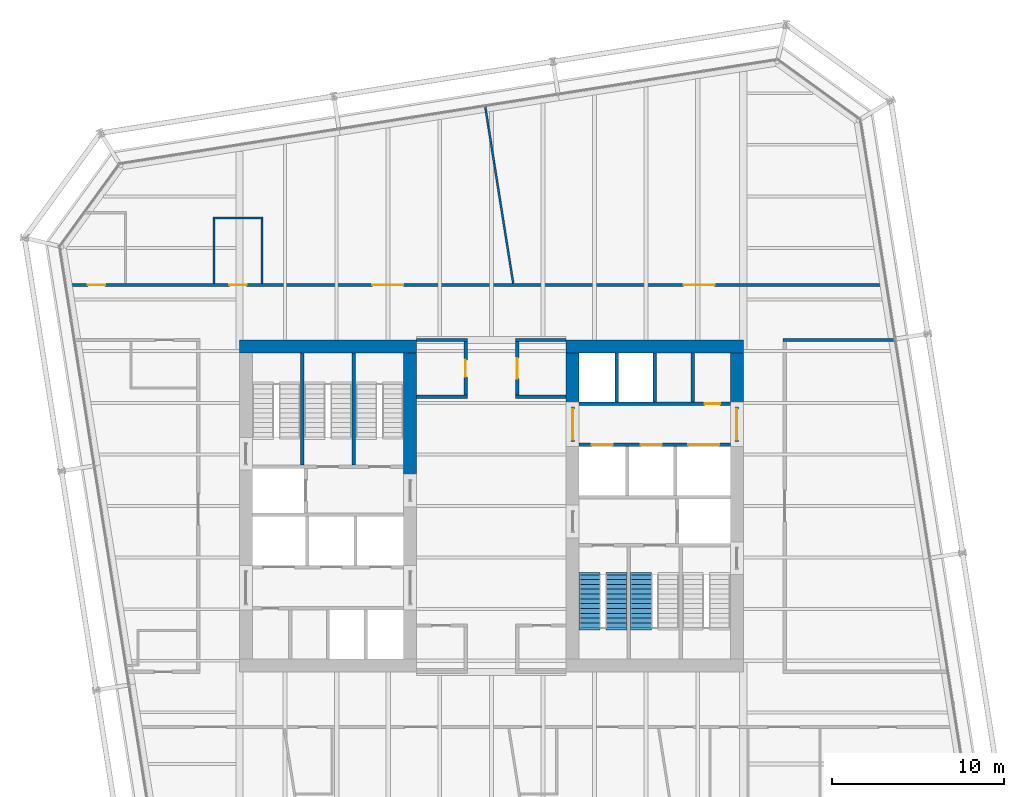
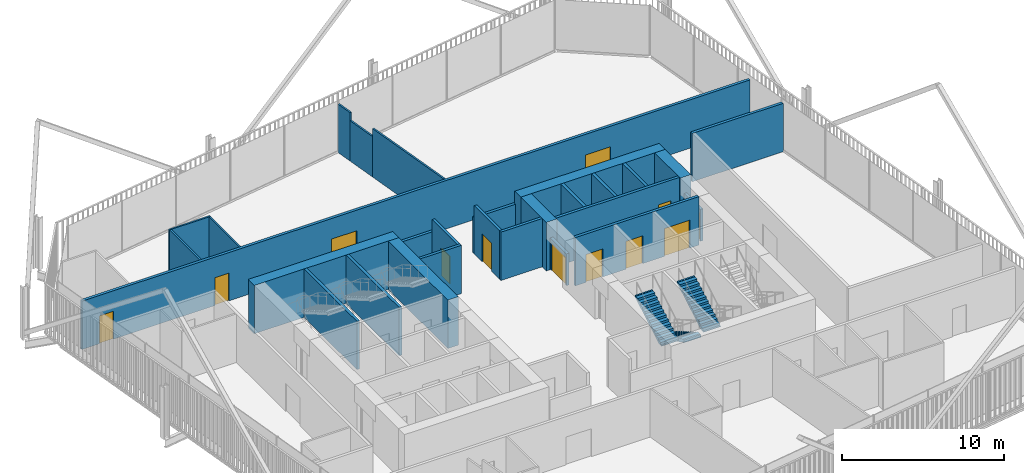
# One storey, part 20 of 22: 28 walls, 12 doors, 3 stair flights, 12 openings, 2 elements without a shape of their own.
"""IFC4 building model written with IfcOpenShell, lengths in metres."""

import ifcopenshell
import ifcopenshell.guid

model = None  # the IFC model being written
_history = None  # IfcOwnerHistory: only IFC2X3 demands one
_inside = {}  # id of a spatial element -> (the spatial element, [elements in it])
_under = {}  # id of a project, library or spatial element -> (it, [spatial elements below it])
_declared = {}  # id of a project -> (the project, [libraries it declares])
_typed = {}  # id of a type object -> (the type object, [elements of that type])
_made_of = {}  # id of a material, layer set ... -> (it, [elements and type objects made of it])


def new_model(schema):
    """Start an empty IFC model of exactly this schema.

    Asked for "IFC4X3", IfcOpenShell would pick the latest addendum, in which some entities
    have other attributes; the version numbers below select the first issue.
    IFC2X3 requires an IfcOwnerHistory on every rooted entity: one is made here for all.
    """
    global model, _history
    if schema == "IFC4X3":
        model = ifcopenshell.file(schema_version=(4, 3, 0, 0))
    else:
        model = ifcopenshell.file(schema=schema)
    _inside.clear()
    _under.clear()
    _declared.clear()
    _typed.clear()
    _made_of.clear()
    _history = None
    if model.schema == "IFC2X3":
        org = make("IfcOrganization", Name="unknown")
        user = make(
            "IfcPersonAndOrganization",
            ThePerson=make("IfcPerson", FamilyName="unknown"),
            TheOrganization=org,
        )
        app = make(
            "IfcApplication",
            ApplicationDeveloper=org,
            Version="unknown",
            ApplicationFullName="unknown",
            ApplicationIdentifier="unknown",
        )
        _history = make(
            "IfcOwnerHistory",
            OwningUser=user,
            OwningApplication=app,
            ChangeAction="ADDED",
            CreationDate=0,
        )
    return model


def make(cls, **values):
    """One entity of the class cls with the attributes given. An attribute that is None is left unset."""
    return model.create_entity(
        cls, **{name: value for name, value in values.items() if value is not None}
    )


def rooted(cls, **values):
    """An entity with a GlobalId (a new one), such as an element, a storey or a relation."""
    return make(cls, GlobalId=ifcopenshell.guid.new(), OwnerHistory=_history, **values)


def si_unit(unit_type, name, prefix=None):
    """IfcSIUnit, for example si_unit("LENGTHUNIT", "METRE", prefix="MILLI")."""
    return make("IfcSIUnit", UnitType=unit_type, Prefix=prefix, Name=name)


def assignment(units):
    """IfcUnitAssignment: the units of a project."""
    return None if units is None else make("IfcUnitAssignment", Units=units)


def point(xyz):
    """IfcCartesianPoint."""
    return None if xyz is None else make("IfcCartesianPoint", Coordinates=xyz)


def direction(xyz):
    """IfcDirection."""
    return None if xyz is None else make("IfcDirection", DirectionRatios=xyz)


def frame(location, z_axis=None, x_axis=None):
    """IfcAxis2Placement3D, a coordinate frame: its origin and axes. An axis left out is left unset."""
    return make(
        "IfcAxis2Placement3D",
        Location=point(location),
        Axis=direction(z_axis),
        RefDirection=direction(x_axis),
    )


def frame_2d(location, x_axis=None):
    """IfcAxis2Placement2D, a coordinate frame in the plane: its origin and x axis."""
    return make(
        "IfcAxis2Placement2D", Location=point(location), RefDirection=direction(x_axis)
    )


def origin():
    """The frame at (0, 0, 0) with its axes left unset."""
    return frame((0.0, 0.0, 0.0))


def place(relative_to, where):
    """IfcLocalPlacement: puts the frame where relative to a parent placement (None: the world)."""
    return make(
        "IfcLocalPlacement", PlacementRelTo=relative_to, RelativePlacement=where
    )


def context(
    kind, dimensions, precision=None, world=None, true_north=None, identifier=None
):
    """IfcGeometricRepresentationContext, for example the 3D "Model" context."""
    return make(
        "IfcGeometricRepresentationContext",
        ContextIdentifier=identifier,
        ContextType=kind,
        CoordinateSpaceDimension=dimensions,
        Precision=precision,
        WorldCoordinateSystem=world,
        TrueNorth=true_north,
    )


def subcontext(parent, identifier, kind, view, scale=None):
    """IfcGeometricRepresentationSubContext, for example "Body" below "Model"."""
    return make(
        "IfcGeometricRepresentationSubContext",
        ContextIdentifier=identifier,
        ContextType=kind,
        ParentContext=parent,
        TargetScale=scale,
        TargetView=view,
    )


def project(units=None, contexts=None):
    """IfcProject with its units and contexts."""
    return rooted(
        "IfcProject",
        Name="project",
        RepresentationContexts=contexts,
        UnitsInContext=assignment(units),
    )


def spatial(cls, under=None, at=None, **own):
    """A site, building, storey or space (cls), placed at a placement, below another one or the project."""
    s = rooted(cls, ObjectPlacement=at, **own)
    if under is not None:
        _under.setdefault(under.id(), (under, []))[1].append(s)
    return s


def polyline(points):
    """IfcPolyline through the points."""
    return make("IfcPolyline", Points=[point(p) for p in points])


def profile(cls, at=None, kind="AREA", **sizes):
    """A parametric profile (cls). Its sizes go by their IFC names, for example OverallWidth=200.0."""
    return make(cls, ProfileType=kind, Position=at, **sizes)


def rectangle(**sizes):
    """IfcRectangleProfileDef."""
    return profile("IfcRectangleProfileDef", **sizes)


def outline(outer, holes=None, kind="AREA"):
    """IfcArbitraryClosedProfileDef: a profile drawn as a closed curve; with holes, ...WithVoids."""
    if holes is None:
        return make("IfcArbitraryClosedProfileDef", ProfileType=kind, OuterCurve=outer)
    return make(
        "IfcArbitraryProfileDefWithVoids",
        ProfileType=kind,
        OuterCurve=outer,
        InnerCurves=holes,
    )


def extrude(swept, where, along, depth):
    """IfcExtrudedAreaSolid: the profile swept, set in the frame where, extruded along a direction by depth."""
    return make(
        "IfcExtrudedAreaSolid",
        SweptArea=swept,
        Position=where,
        ExtrudedDirection=direction(along),
        Depth=depth,
    )


def shape(context_of_items, identifier, shape_type, items):
    """IfcShapeRepresentation: the items that make up one representation, for example the "Body"."""
    return make(
        "IfcShapeRepresentation",
        ContextOfItems=context_of_items,
        RepresentationIdentifier=identifier,
        RepresentationType=shape_type,
        Items=items,
    )


def material(Name=None, Category=None):
    """IfcMaterial."""
    return make("IfcMaterial", Name=Name, Category=Category)


def layer(
    of_material, thickness, ventilated=None, Name=None, Category=None, Priority=None
):
    """IfcMaterialLayer: one layer of a wall or slab, of a material (None: an air gap)."""
    return make(
        "IfcMaterialLayer",
        Material=of_material,
        LayerThickness=thickness,
        IsVentilated=ventilated,
        Name=Name,
        Category=Category,
        Priority=Priority,
    )


def layer_set(layers, Name=None):
    """IfcMaterialLayerSet."""
    return make("IfcMaterialLayerSet", MaterialLayers=layers, LayerSetName=Name)


def made_of(thing, what):
    """Note that an element or type object is made of a material, layer set ...; save() writes the relation."""
    if what is not None:
        _made_of.setdefault(what.id(), (what, []))[1].append(thing)
    return thing


def type_object(cls, material=None, **own):
    """A type object (cls), such as IfcWallType, which elements share."""
    return made_of(rooted(cls, **own), material)


def element(
    cls,
    number,
    at=None,
    inside=None,
    cuts=None,
    type_object=None,
    material=None,
    context=None,
    identifier="Body",
    shape_type=None,
    held_by="IfcProductDefinitionShape",
    body=None,
    shapes=None,
    **own,
):
    """One element of the class cls, such as IfcWall. Its Tag is "e" and its number.

    at: its placement. inside: the storey or other place that contains it. cuts: it is an
    opening in that element (IfcRelVoidsElement). A single representation is given by context,
    identifier, shape_type and body (its items); several are given by shapes. held_by: the class
    of the entity that holds the representations. save() writes the other relations.
    """
    e = rooted(cls, Tag="e%d" % number, ObjectPlacement=at, **own)
    if body is not None:
        shapes = [shape(context, identifier, shape_type, body)]
    if shapes is not None:
        e.Representation = make(held_by, Representations=shapes)
    if inside is not None:
        _inside.setdefault(inside.id(), (inside, []))[1].append(e)
    if cuts is not None:
        rooted(
            "IfcRelVoidsElement", RelatingBuildingElement=cuts, RelatedOpeningElement=e
        )
    if type_object is not None:
        _typed.setdefault(type_object.id(), (type_object, []))[1].append(e)
    return made_of(e, material)


def fill(opening, filler):
    """IfcRelFillsElement: the door or window that sits in an opening."""
    return rooted(
        "IfcRelFillsElement",
        RelatingOpeningElement=opening,
        RelatedBuildingElement=filler,
    )


def aggregate(whole, parts):
    """IfcRelAggregates: a whole, such as a stair, and the parts it consists of."""
    return rooted("IfcRelAggregates", RelatingObject=whole, RelatedObjects=parts)


def save(model, path):
    """Write the relations noted so far, then the file.

    IfcRelAggregates (storeys below a building ...), IfcRelContainedInSpatialStructure (elements
    in a storey), IfcRelDefinesByType, IfcRelAssociatesMaterial and IfcRelDeclares: one each for
    every whole, place, type object, material and project.
    """
    for whole, parts in _under.values():
        aggregate(whole, parts)
    for where, things in _inside.values():
        rooted(
            "IfcRelContainedInSpatialStructure",
            RelatedElements=things,
            RelatingStructure=where,
        )
    for kind, things in _typed.values():
        rooted("IfcRelDefinesByType", RelatedObjects=things, RelatingType=kind)
    for what, things in _made_of.values():
        rooted("IfcRelAssociatesMaterial", RelatedObjects=things, RelatingMaterial=what)
    for by, libraries in _declared.values():
        rooted("IfcRelDeclares", RelatingContext=by, RelatedDefinitions=libraries)
    model.write(path)


model = new_model("IFC4")

# Units and contexts
model_context = context("Model", 3, precision=1e-05, world=origin(), true_north=direction((0.0, 1.0)))
body_context = subcontext(model_context, "Body", "Model", "MODEL_VIEW")
ifc_project = project(units=[si_unit("LENGTHUNIT", "METRE"), si_unit("AREAUNIT", "SQUARE_METRE"), si_unit("VOLUMEUNIT", "CUBIC_METRE"), si_unit("PLANEANGLEUNIT", "RADIAN"), si_unit("MASSUNIT", "GRAM", prefix="KILO")], contexts=[model_context])

# Site, building, storey
site_placement = place(None, origin())
site = spatial("IfcSite", under=ifc_project, at=site_placement, CompositionType="ELEMENT")
building_placement = place(site_placement, origin())
building = spatial("IfcBuilding", under=site, at=building_placement, Name="Millrace Tower", CompositionType="ELEMENT")
storey_placement = place(building_placement, frame((0.0, 0.0, 168.5)))
storey = spatial("IfcBuildingStorey", under=building, at=storey_placement, Name="L38", CompositionType="ELEMENT", Elevation=168.5)

# Walls
ifc_material_1 = material(Name="Concrete C70", Category="concrete")
ifc_layer_1 = layer(ifc_material_1, 0.75)
ifc_layer_set_1 = layer_set([ifc_layer_1], Name="Concrete C70")
wall_type_1 = type_object("IfcWallType", Name="Core wall 750 Concrete C70", PredefinedType="SHEAR", material=ifc_layer_set_1)
wall_1_placement = place(storey_placement, frame((-14.64990234375, 9.27490234375, 0.0), z_axis=(0.0, 0.0, 1.0), x_axis=(1.0, 0.0, 0.0)))
element("IfcWall", 1, at=wall_1_placement, inside=storey, type_object=wall_type_1, Name="Core wall W L38", PredefinedType="SHEAR", context=body_context, shape_type="SweptSolid", body=[
    extrude(rectangle(XDim=10.2998046875, YDim=0.75, at=frame_2d((5.14990234375, 0.0))), origin(), (0.0, 0.0, 1.0), 3.64990234375),
])
wall_2_placement = place(storey_placement, frame((-4.72509765625, 1.550048828125, 0.0), z_axis=(0.0, 0.0, 1.0), x_axis=(0.0, 1.0, 0.0)))
element("IfcWall", 2, at=wall_2_placement, inside=storey, type_object=wall_type_1, Name="Core wall W L38", PredefinedType="SHEAR", context=body_context, shape_type="SweptSolid", body=[
    extrude(rectangle(XDim=7.349853515625, YDim=0.75, at=frame_2d((3.6748046875, 0.0))), origin(), (0.0, 0.0, 1.0), 3.64990234375),
])
wall_3_placement = place(storey_placement, frame((14.64990234375, 9.27490234375, 0.0), z_axis=(0.0, 0.0, 1.0), x_axis=(-1.0, 0.0, 0.0)))
element("IfcWall", 3, at=wall_3_placement, inside=storey, type_object=wall_type_1, Name="Core wall E L38", PredefinedType="SHEAR", context=body_context, shape_type="SweptSolid", body=[
    extrude(rectangle(XDim=10.2998046875, YDim=0.75, at=frame_2d((5.14990234375, 0.0))), origin(), (0.0, 0.0, 1.0), 3.64990234375),
])
for number, where, z_axis, x_axis, name in (
    (4, (14.27490234375, 8.89990234375, 0.0), (0.0, 0.0, 1.0), (0.0, -1.0, 0.0), "Core wall E L38"),
    (5, (4.72509765625, 8.89990234375, 0.0), (0.0, 0.0, 1.0), (0.0, -1.0, 0.0), "Core wall E L38"),
):
    element("IfcWall", number, at=place(storey_placement, frame(where, z_axis=z_axis, x_axis=x_axis)), inside=storey, type_object=wall_type_1, Name=name, PredefinedType="SHEAR", context=body_context, shape_type="SweptSolid", body=[
        extrude(rectangle(XDim=3.14990234375, YDim=0.75, at=frame_2d((1.574951171875, 0.0))), origin(), (0.0, 0.0, 1.0), 3.64990234375),
    ])
ifc_material_2 = material(Name="Masonry partition, fire-rated", Category="masonry")
ifc_layer_2 = layer(ifc_material_2, 0.199951171875)
ifc_layer_set_2 = layer_set([ifc_layer_2], Name="Masonry partition, fire-rated")
wall_type_2 = type_object("IfcWallType", Name="Corridor wall 200", PredefinedType="PARTITIONING", material=ifc_layer_set_2)
for number, where, z_axis, x_axis, name in (
    (6, (-4.35009765625, 6.35009765625, 0.0), (0.0, 0.0, 1.0), (1.0, 0.0, 0.0), "Corridor wall L38"),
    (7, (1.39990234375, 6.35009765625, 0.0), (0.0, 0.0, 1.0), (1.0, 0.0, 0.0), "Corridor wall L38"),
):
    element("IfcWall", number, at=place(storey_placement, frame(where, z_axis=z_axis, x_axis=x_axis)), inside=storey, type_object=wall_type_2, Name=name, PredefinedType="PARTITIONING", context=body_context, shape_type="SweptSolid", body=[
        extrude(rectangle(XDim=2.9501953125, YDim=0.199951171875, at=frame_2d((1.47509765625, 0.0))), origin(), (0.0, 0.0, 1.0), 3.64990234375),
    ])
for number, where, z_axis, x_axis, name in (
    (8, (-4.35009765625, 9.64990234375, 0.0), (0.0, 0.0, 1.0), (1.0, 0.0, 0.0), "Corridor wall L38"),
    (9, (1.39990234375, 9.64990234375, 0.0), (0.0, 0.0, 1.0), (1.0, 0.0, 0.0), "Corridor wall L38"),
):
    element("IfcWall", number, at=place(storey_placement, frame(where, z_axis=z_axis, x_axis=x_axis)), inside=storey, type_object=wall_type_2, Name=name, PredefinedType="PARTITIONING", context=body_context, shape_type="SweptSolid", body=[
        extrude(rectangle(XDim=2.9501953125, YDim=0.199951171875, at=frame_2d((1.47509765625, 0.0))), origin(), (0.0, 0.0, 1.0), 2.722900390625),
    ])
wall_4_placement = place(storey_placement, frame((16.949951171875, 9.64990234375, 0.0), z_axis=(0.0, 0.0, 1.0), x_axis=(1.0, 0.0, 0.0)))
element("IfcWall", 10, at=wall_4_placement, inside=storey, type_object=wall_type_2, Name="Corridor wall L38", PredefinedType="PARTITIONING", context=body_context, shape_type="SweptSolid", body=[
    extrude(rectangle(XDim=6.489501953125, YDim=0.199951171875, at=frame_2d((3.24462890625, 0.0))), origin(), (0.0, 0.0, 1.0), 3.64990234375),
])

# Wall, openings, doors
wall_5_placement = place(storey_placement, frame((-24.7138671875, 12.85009765625, 0.0), z_axis=(0.0, 0.0, 1.0), x_axis=(1.0, 0.0, 0.0)))
wall_5 = element("IfcWall", 11, at=wall_5_placement, inside=storey, type_object=wall_type_2, Name="Corridor wall L38", PredefinedType="PARTITIONING", context=body_context, shape_type="SweptSolid", body=[
    extrude(rectangle(XDim=47.646484375, YDim=0.199951171875, at=frame_2d((23.8232421875, 0.0))), origin(), (0.0, 0.0, 1.0), 3.64990234375),
])
opening_1_placement = place(wall_5_placement, frame((1.2509765625, 0.0, 0.0)))
opening_1 = element("IfcOpeningElement", 12, at=opening_1_placement, cuts=wall_5, Name="Opening 38-P005", PredefinedType="OPENING", context=body_context, shape_type="SweptSolid", body=[
    extrude(rectangle(XDim=1.0, YDim=2.10009765625, at=frame_2d((0.5, 1.050048828125))), frame((0.0, 0.10986328125, 0.0), z_axis=(0.0, -1.0, 0.0), x_axis=(1.0, 0.0, 0.0)), (0.0, 0.0, 1.0), 0.219970703125),
])
opening_2_placement = place(wall_5_placement, frame((17.79296875, 0.0, 0.0)))
opening_2 = element("IfcOpeningElement", 13, at=opening_2_placement, cuts=wall_5, Name="Opening 38-P006", PredefinedType="OPENING", context=body_context, shape_type="SweptSolid", body=[
    extrude(rectangle(XDim=1.800048828125, YDim=2.10009765625, at=frame_2d((0.89990234375, 1.050048828125))), frame((0.0, 0.10986328125, 0.0), z_axis=(0.0, -1.0, 0.0), x_axis=(1.0, 0.0, 0.0)), (0.0, 0.0, 1.0), 0.219970703125),
])
opening_3_placement = place(wall_5_placement, frame((9.486083984375, 0.0, 0.0)))
opening_3 = element("IfcOpeningElement", 14, at=opening_3_placement, cuts=wall_5, Name="Opening 38-P007", PredefinedType="OPENING", context=body_context, shape_type="SweptSolid", body=[
    extrude(rectangle(XDim=1.0, YDim=2.10009765625, at=frame_2d((0.5, 1.050048828125))), frame((0.0, 0.10986328125, 0.0), z_axis=(0.0, -1.0, 0.0), x_axis=(1.0, 0.0, 0.0)), (0.0, 0.0, 1.0), 0.219970703125),
])
opening_4_placement = place(wall_5_placement, frame((35.89794921875, 0.0, 0.0)))
opening_4 = element("IfcOpeningElement", 15, at=opening_4_placement, cuts=wall_5, Name="Opening 38-P008", PredefinedType="OPENING", context=body_context, shape_type="SweptSolid", body=[
    extrude(rectangle(XDim=1.800048828125, YDim=2.10009765625, at=frame_2d((0.89990234375, 1.050048828125))), frame((0.0, 0.10986328125, 0.0), z_axis=(0.0, -1.0, 0.0), x_axis=(1.0, 0.0, 0.0)), (0.0, 0.0, 1.0), 0.219970703125),
])
ifc_material_3 = material(Name="Steel door set, fire-rated", Category="steel")
door_type_1 = type_object("IfcDoorType", Name="Corridor door 1000 x 2100", OperationType="SINGLE_SWING_LEFT", PredefinedType="DOOR", material=ifc_material_3)
door_1_placement = place(opening_1_placement, origin())
door_1 = element("IfcDoor", 16, at=door_1_placement, inside=storey, type_object=door_type_1, Name="Door 38-P005", OperationType="SINGLE_SWING_LEFT", OverallHeight=2.10009765625, OverallWidth=1.0, PredefinedType="DOOR", context=body_context, shape_type="SweptSolid", body=[
    extrude(rectangle(XDim=1.0, YDim=2.10009765625, at=frame_2d((0.5, 1.050048828125))), frame((0.0, 0.02490234375, 0.0), z_axis=(0.0, -1.0, 0.0), x_axis=(1.0, 0.0, 0.0)), (0.0, 0.0, 1.0), 0.050048828125),
])
fill(opening_1, door_1)
door_2_placement = place(opening_3_placement, origin())
door_2 = element("IfcDoor", 17, at=door_2_placement, inside=storey, type_object=door_type_1, Name="Door 38-P007", OperationType="SINGLE_SWING_LEFT", OverallHeight=2.10009765625, OverallWidth=1.0, PredefinedType="DOOR", context=body_context, shape_type="SweptSolid", body=[
    extrude(rectangle(XDim=1.0, YDim=2.10009765625, at=frame_2d((0.5, 1.050048828125))), frame((0.0, 0.02490234375, 0.0), z_axis=(0.0, -1.0, 0.0), x_axis=(1.0, 0.0, 0.0)), (0.0, 0.0, 1.0), 0.050048828125),
])
fill(opening_3, door_2)
ifc_material_4 = material(Name="Steel door set, fire-rated", Category="steel")
door_type_2 = type_object("IfcDoorType", Name="Corridor door 1800 x 2100", OperationType="DOUBLE_DOOR_SINGLE_SWING", PredefinedType="DOOR", material=ifc_material_4)
door_3_placement = place(opening_2_placement, frame((1.800048828125, 0.0, 0.0), z_axis=(0.0, 0.0, 1.0), x_axis=(-1.0, 0.0, 0.0)))
door_3 = element("IfcDoor", 18, at=door_3_placement, inside=storey, type_object=door_type_2, Name="Door 38-P006", OperationType="DOUBLE_DOOR_SINGLE_SWING", OverallHeight=2.10009765625, OverallWidth=1.800048828125, PredefinedType="DOOR", context=body_context, shape_type="SweptSolid", body=[
    extrude(rectangle(XDim=1.800048828125, YDim=2.10009765625, at=frame_2d((0.89990234375, 1.050048828125))), frame((0.0, 0.02490234375, 0.0), z_axis=(0.0, -1.0, 0.0), x_axis=(1.0, 0.0, 0.0)), (0.0, 0.0, 1.0), 0.050048828125),
])
fill(opening_2, door_3)
door_4_placement = place(opening_4_placement, frame((1.800048828125, 0.0, 0.0), z_axis=(0.0, 0.0, 1.0), x_axis=(-1.0, 0.0, 0.0)))
door_4 = element("IfcDoor", 19, at=door_4_placement, inside=storey, type_object=door_type_2, Name="Door 38-P008", OperationType="DOUBLE_DOOR_SINGLE_SWING", OverallHeight=2.10009765625, OverallWidth=1.800048828125, PredefinedType="DOOR", context=body_context, shape_type="SweptSolid", body=[
    extrude(rectangle(XDim=1.800048828125, YDim=2.10009765625, at=frame_2d((0.89990234375, 1.050048828125))), frame((0.0, 0.02490234375, 0.0), z_axis=(0.0, -1.0, 0.0), x_axis=(1.0, 0.0, 0.0)), (0.0, 0.0, 1.0), 0.050048828125),
])
fill(opening_4, door_4)

# Wall, opening, door
wall_6_placement = place(storey_placement, frame((1.5, 6.449951171875, 0.0), z_axis=(0.0, 0.0, 1.0), x_axis=(0.0, 1.0, 0.0)))
wall_6 = element("IfcWall", 20, at=wall_6_placement, inside=storey, type_object=wall_type_2, Name="Corridor wall L38", PredefinedType="PARTITIONING", context=body_context, shape_type="SweptSolid", body=[
    extrude(rectangle(XDim=3.10009765625, YDim=0.199951171875, at=frame_2d((1.550048828125, 0.0))), origin(), (0.0, 0.0, 1.0), 3.64990234375),
])
opening_5_placement = place(wall_6_placement, frame((0.949951171875, 0.0, 0.0)))
opening_5 = element("IfcOpeningElement", 21, at=opening_5_placement, cuts=wall_6, Name="Opening 38-P002", PredefinedType="OPENING", context=body_context, shape_type="SweptSolid", body=[
    extrude(rectangle(XDim=1.199951171875, YDim=2.10009765625, at=frame_2d((0.60009765625, 1.050048828125))), frame((0.0, 0.10986328125, 0.0), z_axis=(0.0, -1.0, 0.0), x_axis=(1.0, 0.0, 0.0)), (0.0, 0.0, 1.0), 0.219970703125),
])
ifc_material_5 = material(Name="Steel door set, fire-rated", Category="steel")
door_type_3 = type_object("IfcDoorType", Name="Corridor door 1200 x 2100", OperationType="SINGLE_SWING_LEFT", PredefinedType="DOOR", material=ifc_material_5)
door_5_placement = place(opening_5_placement, frame((1.199951171875, 0.0, 0.0), z_axis=(0.0, 0.0, 1.0), x_axis=(-1.0, 0.0, 0.0)))
door_5 = element("IfcDoor", 22, at=door_5_placement, inside=storey, type_object=door_type_3, Name="Door 38-P002", OperationType="SINGLE_SWING_RIGHT", OverallHeight=2.10009765625, OverallWidth=1.199951171875, PredefinedType="DOOR", context=body_context, shape_type="SweptSolid", body=[
    extrude(rectangle(XDim=1.199951171875, YDim=2.10009765625, at=frame_2d((0.60009765625, 1.050048828125))), frame((0.0, 0.02490234375, 0.0), z_axis=(0.0, -1.0, 0.0), x_axis=(1.0, 0.0, 0.0)), (0.0, 0.0, 1.0), 0.050048828125),
])
fill(opening_5, door_5)

wall_7_placement = place(storey_placement, frame((-1.5, 6.449951171875, 0.0), z_axis=(0.0, 0.0, 1.0), x_axis=(0.0, 1.0, 0.0)))
wall_7 = element("IfcWall", 23, at=wall_7_placement, inside=storey, type_object=wall_type_2, Name="Corridor wall L38", PredefinedType="PARTITIONING", context=body_context, shape_type="SweptSolid", body=[
    extrude(rectangle(XDim=3.10009765625, YDim=0.199951171875, at=frame_2d((1.550048828125, 0.0))), origin(), (0.0, 0.0, 1.0), 3.64990234375),
])
opening_6_placement = place(wall_7_placement, frame((1.050048828125, 0.0, 0.0)))
opening_6 = element("IfcOpeningElement", 24, at=opening_6_placement, cuts=wall_7, Name="Opening 38-P001", PredefinedType="OPENING", context=body_context, shape_type="SweptSolid", body=[
    extrude(rectangle(XDim=1.0, YDim=2.10009765625, at=frame_2d((0.5, 1.050048828125))), frame((0.0, 0.10986328125, 0.0), z_axis=(0.0, -1.0, 0.0), x_axis=(1.0, 0.0, 0.0)), (0.0, 0.0, 1.0), 0.219970703125),
])
door_6_placement = place(opening_6_placement, origin())
door_6 = element("IfcDoor", 25, at=door_6_placement, inside=storey, type_object=door_type_1, Name="Door 38-P001", OperationType="SINGLE_SWING_LEFT", OverallHeight=2.10009765625, OverallWidth=1.0, PredefinedType="DOOR", context=body_context, shape_type="SweptSolid", body=[
    extrude(rectangle(XDim=1.0, YDim=2.10009765625, at=frame_2d((0.5, 1.050048828125))), frame((0.0, 0.02490234375, 0.0), z_axis=(0.0, -1.0, 0.0), x_axis=(1.0, 0.0, 0.0)), (0.0, 0.0, 1.0), 0.050048828125),
])
fill(opening_6, door_6)

ifc_material_6 = material(Name="Masonry partition, fire-rated", Category="masonry")
ifc_layer_3 = layer(ifc_material_6, 0.199951171875)
ifc_layer_set_3 = layer_set([ifc_layer_3], Name="Masonry partition, fire-rated")
wall_type_3 = type_object("IfcWallType", Name="Lift shaft wall 200", PredefinedType="PARTITIONING", material=ifc_layer_set_3)
wall_8_placement = place(storey_placement, frame((13.89990234375, 5.949951171875, 0.0), z_axis=(0.0, 0.0, 1.0), x_axis=(-1.0, 0.0, 0.0)))
wall_8 = element("IfcWall", 26, at=wall_8_placement, inside=storey, type_object=wall_type_3, Name="Lift shaft wall E L38", PredefinedType="PARTITIONING", context=body_context, shape_type="SweptSolid", body=[
    extrude(rectangle(XDim=8.7998046875, YDim=0.199951171875, at=frame_2d((4.39990234375, 0.0))), origin(), (0.0, 0.0, 1.0), 3.64990234375),
])
opening_7_placement = place(wall_8_placement, frame((0.60009765625, 0.0, 0.0)))
opening_7 = element("IfcOpeningElement", 27, at=opening_7_placement, cuts=wall_8, Name="Opening 38-C012", PredefinedType="OPENING", context=body_context, shape_type="SweptSolid", body=[
    extrude(rectangle(XDim=0.89990234375, YDim=2.10009765625, at=frame_2d((0.449951171875, 1.050048828125))), frame((0.0, 0.10986328125, 0.0), z_axis=(0.0, -1.0, 0.0), x_axis=(1.0, 0.0, 0.0)), (0.0, 0.0, 1.0), 0.219970703125),
])
ifc_material_7 = material(Name="Steel door, fire-rated", Category="steel")
door_type_4 = type_object("IfcDoorType", Name="Service room door 900 x 2100", OperationType="SINGLE_SWING_LEFT", PredefinedType="DOOR", material=ifc_material_7)
door_7_placement = place(opening_7_placement, frame((0.89990234375, 0.0, 0.0), z_axis=(0.0, 0.0, 1.0), x_axis=(-1.0, 0.0, 0.0)))
door_7 = element("IfcDoor", 28, at=door_7_placement, inside=storey, type_object=door_type_4, Name="Service room door 38-C012", OperationType="SINGLE_SWING_RIGHT", OverallHeight=2.10009765625, OverallWidth=0.89990234375, PredefinedType="DOOR", context=body_context, shape_type="SweptSolid", body=[
    extrude(rectangle(XDim=0.89990234375, YDim=2.10009765625, at=frame_2d((0.449951171875, 1.050048828125))), frame((0.0, 0.02490234375, 0.0), z_axis=(0.0, -1.0, 0.0), x_axis=(1.0, 0.0, 0.0)), (0.0, 0.0, 1.0), 0.050048828125),
])
fill(opening_7, door_7)

# Wall, openings, doors
wall_9_placement = place(storey_placement, frame((13.89990234375, 3.550048828125, 0.0), z_axis=(0.0, 0.0, 1.0), x_axis=(-1.0, 0.0, 0.0)))
wall_9 = element("IfcWall", 29, at=wall_9_placement, inside=storey, type_object=wall_type_3, Name="Lift shaft wall E L38", PredefinedType="PARTITIONING", context=body_context, shape_type="SweptSolid", body=[
    extrude(rectangle(XDim=8.7998046875, YDim=0.199951171875, at=frame_2d((4.39990234375, 0.0))), origin(), (0.0, 0.0, 1.0), 3.64990234375),
])
opening_8_placement = place(wall_9_placement, frame((0.64990234375, 0.0, 0.0)))
opening_8 = element("IfcOpeningElement", 30, at=opening_8_placement, cuts=wall_9, Name="Opening 38-LD13", PredefinedType="OPENING", context=body_context, shape_type="SweptSolid", body=[
    extrude(rectangle(XDim=1.800048828125, YDim=2.10009765625, at=frame_2d((0.89990234375, 1.050048828125))), frame((0.0, 0.10986328125, 0.0), z_axis=(0.0, -1.0, 0.0), x_axis=(1.0, 0.0, 0.0)), (0.0, 0.0, 1.0), 0.219970703125),
])
opening_9_placement = place(wall_9_placement, frame((4.0, 0.0, 0.0)))
opening_9 = element("IfcOpeningElement", 31, at=opening_9_placement, cuts=wall_9, Name="Opening 38-LD14", PredefinedType="OPENING", context=body_context, shape_type="SweptSolid", body=[
    extrude(rectangle(XDim=1.199951171875, YDim=2.10009765625, at=frame_2d((0.60009765625, 1.050048828125))), frame((0.0, 0.10986328125, 0.0), z_axis=(0.0, -1.0, 0.0), x_axis=(1.0, 0.0, 0.0)), (0.0, 0.0, 1.0), 0.219970703125),
])
opening_10_placement = place(wall_9_placement, frame((6.85009765625, 0.0, 0.0)))
opening_10 = element("IfcOpeningElement", 32, at=opening_10_placement, cuts=wall_9, Name="Opening 38-LD15", PredefinedType="OPENING", context=body_context, shape_type="SweptSolid", body=[
    extrude(rectangle(XDim=1.199951171875, YDim=2.10009765625, at=frame_2d((0.60009765625, 1.050048828125))), frame((0.0, 0.10986328125, 0.0), z_axis=(0.0, -1.0, 0.0), x_axis=(1.0, 0.0, 0.0)), (0.0, 0.0, 1.0), 0.219970703125),
])
ifc_material_8 = material(Name="Stainless steel, fire-rated", Category="steel")
door_type_5 = type_object("IfcDoorType", Name="Lift landing door 1200 x 2100", OperationType="DOUBLE_DOOR_SLIDING", PredefinedType="DOOR", material=ifc_material_8)
door_8_placement = place(opening_9_placement, origin())
door_8 = element("IfcDoor", 33, at=door_8_placement, inside=storey, type_object=door_type_5, Name="Lift landing door LF14 L38", OperationType="DOUBLE_DOOR_SLIDING", OverallHeight=2.10009765625, OverallWidth=1.199951171875, PredefinedType="DOOR", context=body_context, shape_type="SweptSolid", body=[
    extrude(rectangle(XDim=1.199951171875, YDim=2.10009765625, at=frame_2d((0.60009765625, 1.050048828125))), frame((0.0, 0.02490234375, 0.0), z_axis=(0.0, -1.0, 0.0), x_axis=(1.0, 0.0, 0.0)), (0.0, 0.0, 1.0), 0.050048828125),
])
fill(opening_9, door_8)
door_9_placement = place(opening_10_placement, origin())
door_9 = element("IfcDoor", 34, at=door_9_placement, inside=storey, type_object=door_type_5, Name="Lift landing door LF15 L38", OperationType="DOUBLE_DOOR_SLIDING", OverallHeight=2.10009765625, OverallWidth=1.199951171875, PredefinedType="DOOR", context=body_context, shape_type="SweptSolid", body=[
    extrude(rectangle(XDim=1.199951171875, YDim=2.10009765625, at=frame_2d((0.60009765625, 1.050048828125))), frame((0.0, 0.02490234375, 0.0), z_axis=(0.0, -1.0, 0.0), x_axis=(1.0, 0.0, 0.0)), (0.0, 0.0, 1.0), 0.050048828125),
])
fill(opening_10, door_9)
ifc_material_9 = material(Name="Stainless steel, fire-rated", Category="steel")
door_type_6 = type_object("IfcDoorType", Name="Lift landing door 1800 x 2100", OperationType="DOUBLE_DOOR_SLIDING", PredefinedType="DOOR", material=ifc_material_9)
door_10_placement = place(opening_8_placement, origin())
door_10 = element("IfcDoor", 35, at=door_10_placement, inside=storey, type_object=door_type_6, Name="Lift landing door LF13 L38", OperationType="DOUBLE_DOOR_SLIDING", OverallHeight=2.10009765625, OverallWidth=1.800048828125, PredefinedType="DOOR", context=body_context, shape_type="SweptSolid", body=[
    extrude(rectangle(XDim=1.800048828125, YDim=2.10009765625, at=frame_2d((0.89990234375, 1.050048828125))), frame((0.0, 0.02490234375, 0.0), z_axis=(0.0, -1.0, 0.0), x_axis=(1.0, 0.0, 0.0)), (0.0, 0.0, 1.0), 0.050048828125),
])
fill(opening_8, door_10)

# Walls
for number, where, z_axis, x_axis, name in (
    (36, (11.699951171875, 8.89990234375, 0.0), (0.0, 0.0, 1.0), (0.0, -1.0, 0.0), "Lift shaft wall E L38"),
    (37, (9.5, 8.89990234375, 0.0), (0.0, 0.0, 1.0), (0.0, -1.0, 0.0), "Lift shaft wall E L38"),
    (38, (7.300048828125, 8.89990234375, 0.0), (0.0, 0.0, 1.0), (0.0, -1.0, 0.0), "Lift shaft wall E L38"),
):
    element("IfcWall", number, at=place(storey_placement, frame(where, z_axis=z_axis, x_axis=x_axis)), inside=storey, type_object=wall_type_3, Name=name, PredefinedType="PARTITIONING", context=body_context, shape_type="SweptSolid", body=[
        extrude(rectangle(XDim=2.849853515625, YDim=0.199951171875, at=frame_2d((1.4248046875, 0.0))), origin(), (0.0, 0.0, 1.0), 3.64990234375),
    ])

# Wall, opening, door
ifc_material_10 = material(Name="Masonry partition, fire-rated", Category="masonry")
ifc_layer_4 = layer(ifc_material_10, 0.199951171875)
ifc_layer_set_4 = layer_set([ifc_layer_4], Name="Masonry partition, fire-rated")
wall_type_4 = type_object("IfcWallType", Name="Lobby wall 200", PredefinedType="PARTITIONING", material=ifc_layer_set_4)
wall_10_placement = place(storey_placement, frame((14.27490234375, 5.75, 0.0), z_axis=(0.0, 0.0, 1.0), x_axis=(0.0, -1.0, 0.0)))
wall_10 = element("IfcWall", 39, at=wall_10_placement, inside=storey, type_object=wall_type_4, Name="Lobby wall E L38", PredefinedType="PARTITIONING", context=body_context, shape_type="SweptSolid", body=[
    extrude(rectangle(XDim=2.0, YDim=0.199951171875, at=frame_2d((1.0, 0.0))), origin(), (0.0, 0.0, 1.0), 2.39990234375),
])
opening_11_placement = place(wall_10_placement, frame((0.10009765625, 0.0, 0.0)))
opening_11 = element("IfcOpeningElement", 40, at=opening_11_placement, cuts=wall_10, Name="Opening 38-C008", PredefinedType="OPENING", context=body_context, shape_type="SweptSolid", body=[
    extrude(rectangle(XDim=1.800048828125, YDim=2.10009765625, at=frame_2d((0.89990234375, 1.050048828125))), frame((0.0, 0.10986328125, 0.0), z_axis=(0.0, -1.0, 0.0), x_axis=(1.0, 0.0, 0.0)), (0.0, 0.0, 1.0), 0.219970703125),
])
ifc_material_11 = material(Name="Steel door, fire-rated", Category="steel")
door_type_7 = type_object("IfcDoorType", Name="Lobby door 1800 x 2100", OperationType="DOUBLE_DOOR_SINGLE_SWING", PredefinedType="DOOR", material=ifc_material_11)
door_11_placement = place(opening_11_placement, origin())
door_11 = element("IfcDoor", 41, at=door_11_placement, inside=storey, type_object=door_type_7, Name="Lobby door 38-C008", OperationType="DOUBLE_DOOR_SINGLE_SWING", OverallHeight=2.10009765625, OverallWidth=1.800048828125, PredefinedType="DOOR", context=body_context, shape_type="SweptSolid", body=[
    extrude(rectangle(XDim=1.800048828125, YDim=2.10009765625, at=frame_2d((0.89990234375, 1.050048828125))), frame((0.0, 0.02490234375, 0.0), z_axis=(0.0, -1.0, 0.0), x_axis=(1.0, 0.0, 0.0)), (0.0, 0.0, 1.0), 0.050048828125),
])
fill(opening_11, door_11)

wall_11_placement = place(storey_placement, frame((4.72509765625, 5.75, 0.0), z_axis=(0.0, 0.0, 1.0), x_axis=(0.0, -1.0, 0.0)))
wall_11 = element("IfcWall", 42, at=wall_11_placement, inside=storey, type_object=wall_type_4, Name="Lobby wall E L38", PredefinedType="PARTITIONING", context=body_context, shape_type="SweptSolid", body=[
    extrude(rectangle(XDim=2.0, YDim=0.199951171875, at=frame_2d((1.0, 0.0))), origin(), (0.0, 0.0, 1.0), 2.39990234375),
])
opening_12_placement = place(wall_11_placement, frame((0.10009765625, 0.0, 0.0)))
opening_12 = element("IfcOpeningElement", 43, at=opening_12_placement, cuts=wall_11, Name="Opening 38-C010", PredefinedType="OPENING", context=body_context, shape_type="SweptSolid", body=[
    extrude(rectangle(XDim=1.800048828125, YDim=2.10009765625, at=frame_2d((0.89990234375, 1.050048828125))), frame((0.0, 0.10986328125, 0.0), z_axis=(0.0, -1.0, 0.0), x_axis=(1.0, 0.0, 0.0)), (0.0, 0.0, 1.0), 0.219970703125),
])
door_12_placement = place(opening_12_placement, origin())
door_12 = element("IfcDoor", 44, at=door_12_placement, inside=storey, type_object=door_type_7, Name="Lobby door 38-C010", OperationType="DOUBLE_DOOR_SINGLE_SWING", OverallHeight=2.10009765625, OverallWidth=1.800048828125, PredefinedType="DOOR", context=body_context, shape_type="SweptSolid", body=[
    extrude(rectangle(XDim=1.800048828125, YDim=2.10009765625, at=frame_2d((0.89990234375, 1.050048828125))), frame((0.0, 0.02490234375, 0.0), z_axis=(0.0, -1.0, 0.0), x_axis=(1.0, 0.0, 0.0)), (0.0, 0.0, 1.0), 0.050048828125),
])
fill(opening_12, door_12)

# Walls
ifc_material_12 = material(Name="Gypsum board partition")
ifc_layer_5 = layer(ifc_material_12, 0.1201171875)
ifc_layer_set_5 = layer_set([ifc_layer_5], Name="Gypsum board partition")
wall_type_5 = type_object("IfcWallType", Name="Partition wall 120", PredefinedType="PARTITIONING", material=ifc_layer_set_5)
wall_12_placement = place(storey_placement, frame((-0.35791015625, 23.2265625, 0.0), z_axis=(0.0, 0.0, 1.0), x_axis=(0.156600767985, -0.987661986444, 0.0)))
element("IfcWall", 45, at=wall_12_placement, inside=storey, type_object=wall_type_5, Name="Partition wall L38", PredefinedType="PARTITIONING", context=body_context, shape_type="SweptSolid", body=[
    extrude(rectangle(XDim=1.1787109375, YDim=0.1201171875, at=frame_2d((0.58935546875, 0.0))), origin(), (0.0, 0.0, 1.0), 3.64990234375),
])
wall_13_placement = place(storey_placement, frame((-0.17333984375, 22.0625, 0.0), z_axis=(0.0, 0.0, 1.0), x_axis=(0.156375374173, -0.987697697857, 0.0)))
element("IfcWall", 46, at=wall_13_placement, inside=storey, type_object=wall_type_5, Name="Partition wall L38", PredefinedType="PARTITIONING", context=body_context, shape_type="SweptSolid", body=[
    extrude(rectangle(XDim=2.217041015625, YDim=0.1201171875, at=frame_2d((1.1083984375, 0.0))), origin(), (0.0, 0.0, 1.0), 3.04296875),
])
wall_14_placement = place(storey_placement, frame((0.17333984375, 19.872802734375, 0.0), z_axis=(0.0, 0.0, 1.0), x_axis=(0.156470438689, -0.987682642257, 0.0)))
element("IfcWall", 47, at=wall_14_placement, inside=storey, type_object=wall_type_5, Name="Partition wall L38", PredefinedType="PARTITIONING", context=body_context, shape_type="SweptSolid", body=[
    extrude(rectangle(XDim=7.010498046875, YDim=0.1201171875, at=frame_2d((3.50537109375, 0.0))), origin(), (0.0, 0.0, 1.0), 3.64990234375),
])
wall_15_placement = place(storey_placement, frame((-16.18701171875, 16.75, 0.0), z_axis=(0.0, 0.0, 1.0), x_axis=(1.0, 0.0, 0.0)))
element("IfcWall", 48, at=wall_15_placement, inside=storey, type_object=wall_type_5, Name="Partition wall L38", PredefinedType="PARTITIONING", context=body_context, shape_type="SweptSolid", body=[
    extrude(rectangle(XDim=2.91796875, YDim=0.1201171875, at=frame_2d((1.458984375, 0.0))), origin(), (0.0, 0.0, 1.0), 3.64990234375),
])
for number, where, z_axis, x_axis, name in (
    (49, (-13.327880859375, 12.949951171875, 0.0), (0.0, 0.0, 1.0), (0.0, 1.0, 0.0), "Partition wall L38"),
    (50, (-16.1279296875, 12.949951171875, 0.0), (0.0, 0.0, 1.0), (0.0, 1.0, 0.0), "Partition wall L38"),
):
    element("IfcWall", number, at=place(storey_placement, frame(where, z_axis=z_axis, x_axis=x_axis)), inside=storey, type_object=wall_type_5, Name=name, PredefinedType="PARTITIONING", context=body_context, shape_type="SweptSolid", body=[
        extrude(rectangle(XDim=3.739013671875, YDim=0.1201171875, at=frame_2d((1.86962890625, 0.0))), origin(), (0.0, 0.0, 1.0), 3.64990234375),
    ])
ifc_material_13 = material(Name="Concrete C40", Category="concrete")
ifc_layer_6 = layer(ifc_material_13, 0.199951171875)
ifc_layer_set_6 = layer_set([ifc_layer_6], Name="Concrete C40")
wall_type_6 = type_object("IfcWallType", Name="Stair enclosure wall 200 Concrete C40", PredefinedType="SHEAR", material=ifc_layer_set_6)
for number, where, z_axis, x_axis, name in (
    (51, (-11.0, 2.3798828125, 0.0), (0.0, 0.0, 1.0), (0.0, 1.0, 0.0), "Stair enclosure wall W L38"),
    (52, (-8.0, 2.3798828125, 0.0), (0.0, 0.0, 1.0), (0.0, 1.0, 0.0), "Stair enclosure wall W L38"),
):
    element("IfcWall", number, at=place(storey_placement, frame(where, z_axis=z_axis, x_axis=x_axis)), inside=storey, type_object=wall_type_6, Name=name, PredefinedType="SHEAR", context=body_context, shape_type="SweptSolid", body=[
        extrude(rectangle(XDim=6.52001953125, YDim=0.199951171875, at=frame_2d((3.260009765625, 0.0))), origin(), (0.0, 0.0, 1.0), 3.64990234375),
    ])

# Stair, stair flight
ifc_material_14 = material(Name="Concrete C35", Category="concrete")
stair_type = type_object("IfcStairType", Name="Exit stair", PredefinedType="HALF_TURN_STAIR", material=ifc_material_14)
placement = place(storey_placement, origin())
stair_1 = element("IfcStair", 53, at=placement, inside=storey, type_object=stair_type, Name="Stair 2 E L38", PredefinedType="HALF_TURN_STAIR")
ifc_material_15 = material(Name="Concrete C35", Category="concrete")
stair_flight_type = type_object("IfcStairFlightType", Name="Exit stair flight", PredefinedType="STRAIGHT", material=ifc_material_15)
stair_flight_1_placement = place(storey_placement, frame((8.7099609375, -7.080078125, 1.949951171875), z_axis=(0.0, 0.0, 1.0), x_axis=(0.0, 1.0, 0.0)))
stair_flight_1 = element("IfcStairFlight", 54, at=stair_flight_1_placement, type_object=stair_flight_type, Name="ST12 flight 2", NumberOfRisers=12, NumberOfTreads=11, PredefinedType="STRAIGHT", RiserHeight=0.1625, TreadLength=0.28, context=body_context, shape_type="SweptSolid", body=[
    extrude(outline(polyline([(-0.1201171875, -0.0400390625), (-0.1201171875, 0.0), (0.0, 0.0), (0.0, 0.16259765625), (0.280029296875, 0.16259765625), (0.280029296875, 0.324951171875), (0.56005859375, 0.324951171875), (0.56005859375, 0.487548828125), (0.840087890625, 0.487548828125), (0.840087890625, 0.64990234375), (1.1201171875, 0.64990234375), (1.1201171875, 0.8125), (1.39990234375, 0.8125), (1.39990234375, 0.97509765625), (1.679931640625, 0.97509765625), (1.679931640625, 1.137451171875), (1.9599609375, 1.137451171875), (1.9599609375, 1.300048828125), (2.239990234375, 1.300048828125), (2.239990234375, 1.46240234375), (2.52001953125, 1.46240234375), (2.52001953125, 1.625), (2.800048828125, 1.625), (2.800048828125, 1.78759765625), (3.080078125, 1.78759765625), (3.080078125, 1.8076171875), (3.199951171875, 1.8076171875), (3.199951171875, 1.6142578125), (3.080078125, 1.6142578125), (0.298583984375, 0.0), (0.298583984375, -0.0400390625), (-0.1201171875, -0.0400390625)])), frame((0.0, 0.60986328125, 0.0), z_axis=(0.0, -1.0, 0.0), x_axis=(1.0, 0.0, 0.0)), (0.0, 0.0, 1.0), 1.219970703125),
])
aggregate(stair_1, [stair_flight_1])

# Stair, stair flights
stair_2 = element("IfcStair", 55, at=placement, inside=storey, type_object=stair_type, Name="Stair 3 E L38", PredefinedType="HALF_TURN_STAIR")
stair_flight_2_placement = place(storey_placement, frame((7.2900390625, -4.0, 0.0), z_axis=(0.0, 0.0, 1.0), x_axis=(0.0, -1.0, 0.0)))
stair_flight_2 = element("IfcStairFlight", 56, at=stair_flight_2_placement, type_object=stair_flight_type, Name="ST12 flight 1", NumberOfRisers=12, NumberOfTreads=11, PredefinedType="STRAIGHT", RiserHeight=0.1625, TreadLength=0.28, context=body_context, shape_type="SweptSolid", body=[
    extrude(outline(polyline([(-0.1201171875, -0.0400390625), (-0.1201171875, 0.0), (0.0, 0.0), (0.0, 0.16259765625), (0.280029296875, 0.16259765625), (0.280029296875, 0.324951171875), (0.56005859375, 0.324951171875), (0.56005859375, 0.487548828125), (0.840087890625, 0.487548828125), (0.840087890625, 0.64990234375), (1.1201171875, 0.64990234375), (1.1201171875, 0.8125), (1.39990234375, 0.8125), (1.39990234375, 0.97509765625), (1.679931640625, 0.97509765625), (1.679931640625, 1.137451171875), (1.9599609375, 1.137451171875), (1.9599609375, 1.300048828125), (2.239990234375, 1.300048828125), (2.239990234375, 1.46240234375), (2.52001953125, 1.46240234375), (2.52001953125, 1.625), (2.800048828125, 1.625), (2.800048828125, 1.78759765625), (3.080078125, 1.78759765625), (3.080078125, 1.8076171875), (3.199951171875, 1.8076171875), (3.199951171875, 1.6142578125), (3.080078125, 1.6142578125), (0.298583984375, 0.0), (0.298583984375, -0.0400390625), (-0.1201171875, -0.0400390625)])), frame((0.0, 0.60986328125, 0.0), z_axis=(0.0, -1.0, 0.0), x_axis=(1.0, 0.0, 0.0)), (0.0, 0.0, 1.0), 1.219970703125),
])
stair_flight_3_placement = place(storey_placement, frame((5.7099609375, -7.080078125, 1.949951171875), z_axis=(0.0, 0.0, 1.0), x_axis=(0.0, 1.0, 0.0)))
stair_flight_3 = element("IfcStairFlight", 57, at=stair_flight_3_placement, type_object=stair_flight_type, Name="ST12 flight 2", NumberOfRisers=12, NumberOfTreads=11, PredefinedType="STRAIGHT", RiserHeight=0.1625, TreadLength=0.28, context=body_context, shape_type="SweptSolid", body=[
    extrude(outline(polyline([(-0.1201171875, -0.0400390625), (-0.1201171875, 0.0), (0.0, 0.0), (0.0, 0.16259765625), (0.280029296875, 0.16259765625), (0.280029296875, 0.324951171875), (0.56005859375, 0.324951171875), (0.56005859375, 0.487548828125), (0.840087890625, 0.487548828125), (0.840087890625, 0.64990234375), (1.1201171875, 0.64990234375), (1.1201171875, 0.8125), (1.39990234375, 0.8125), (1.39990234375, 0.97509765625), (1.679931640625, 0.97509765625), (1.679931640625, 1.137451171875), (1.9599609375, 1.137451171875), (1.9599609375, 1.300048828125), (2.239990234375, 1.300048828125), (2.239990234375, 1.46240234375), (2.52001953125, 1.46240234375), (2.52001953125, 1.625), (2.800048828125, 1.625), (2.800048828125, 1.78759765625), (3.080078125, 1.78759765625), (3.080078125, 1.8076171875), (3.199951171875, 1.8076171875), (3.199951171875, 1.6142578125), (3.080078125, 1.6142578125), (0.298583984375, 0.0), (0.298583984375, -0.0400390625), (-0.1201171875, -0.0400390625)])), frame((0.0, 0.60986328125, 0.0), z_axis=(0.0, -1.0, 0.0), x_axis=(1.0, 0.0, 0.0)), (0.0, 0.0, 1.0), 1.219970703125),
])
aggregate(stair_2, [stair_flight_2, stair_flight_3])

save(model, "model.ifc")
